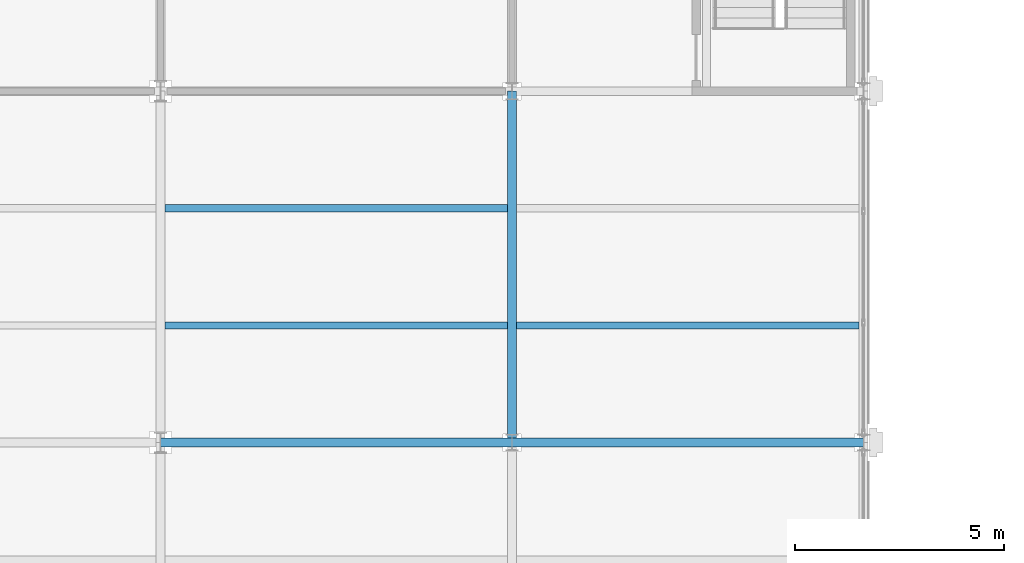
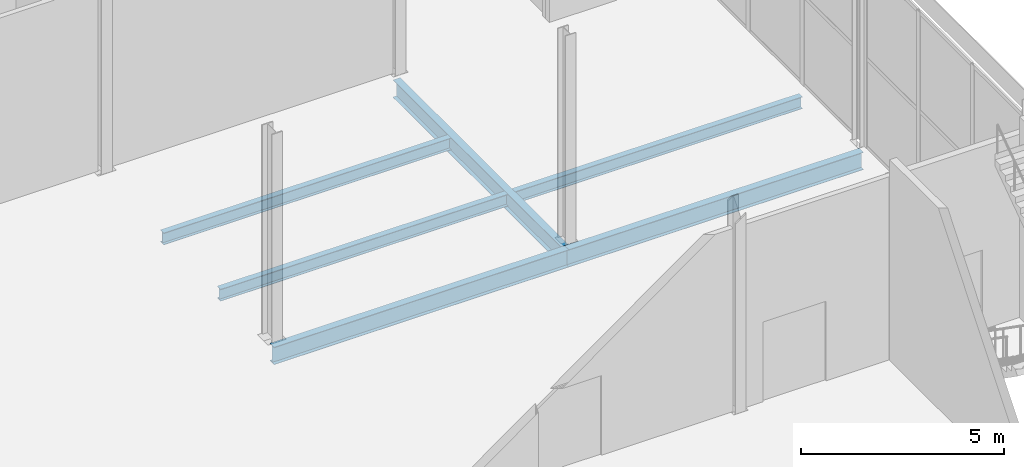
# One storey, part 35 of 77: 6 beams.
"""IFC4 building model written with IfcOpenShell, lengths in metres."""

from ifc_helpers import new_model, si_unit, direction, frame, origin, origin_2d, place, context, subcontext, project, spatial, i_section, extrude, material, material_profile, profile_set, type_object, element, save


model = new_model("IFC4")

# Units and contexts
model_context = context("Model", 3, precision=1e-05, world=origin(), true_north=direction((0.0, 1.0)))
body_context = subcontext(model_context, "Body", "Model", "MODEL_VIEW")
ifc_project = project(units=[si_unit("LENGTHUNIT", "METRE"), si_unit("AREAUNIT", "SQUARE_METRE"), si_unit("VOLUMEUNIT", "CUBIC_METRE"), si_unit("PLANEANGLEUNIT", "RADIAN"), si_unit("MASSUNIT", "GRAM", prefix="KILO")], contexts=[model_context])

# Site, building, storey
site_placement = place(None, origin())
site = spatial("IfcSite", under=ifc_project, at=site_placement, CompositionType="ELEMENT")
building_placement = place(site_placement, origin())
building = spatial("IfcBuilding", under=site, at=building_placement, Name="Catenary Quay Ferry Terminal", CompositionType="ELEMENT")
storey_placement = place(building_placement, frame((0.0, 0.0, 10.800048828125)))
storey = spatial("IfcBuildingStorey", under=building, at=storey_placement, Name="L02", CompositionType="ELEMENT", Elevation=10.800048828125)

# Beams
ifc_material_1 = material(Name="Steel S355", Category="steel")
ifc_material_profile_1 = material_profile(ifc_material_1, i_section(OverallWidth=0.208740234375, OverallDepth=0.5283203125, WebThickness=0.009521484375, FlangeThickness=0.01318359375, at=origin_2d()), Name="UB 533x210x82")
ifc_profile_set_1 = profile_set([ifc_material_profile_1], Name="Steel S355")
beam_type_1 = type_object("IfcBeamType", Name="B5 UB 533x210x82", PredefinedType="BEAM", material=ifc_profile_set_1)
beam_1_placement = place(storey_placement, frame((50.39990234375, 184.800048828125, -0.51416015625), z_axis=(1.0, 0.0, 0.0), x_axis=(0.0, 1.0, 0.0)))
element("IfcBeam", 1, at=beam_1_placement, inside=storey, type_object=beam_type_1, Name="Beam B5-013", PredefinedType="BEAM", context=body_context, shape_type="SweptSolid", body=[
    extrude(i_section(OverallWidth=0.208740234375, OverallDepth=0.5283203125, WebThickness=0.009521484375, FlangeThickness=0.01318359375, at=origin_2d()), origin(), (0.0, 0.0, 1.0), 8.400146484375),
])
for number, where, z_axis, x_axis, name in (
    (2, (58.800048828125, 184.800048828125, -0.51416015625), (1.0, 0.0, 0.0), (0.0, 1.0, 0.0), "Beam B5-014"),
    (3, (58.800048828125, 184.800048828125, -0.51416015625), (0.0, 1.0, 0.0), (-1.0, 0.0, 0.0), "Beam B5-041"),
):
    element("IfcBeam", number, at=place(storey_placement, frame(where, z_axis=z_axis, x_axis=x_axis)), inside=storey, type_object=beam_type_1, Name=name, PredefinedType="BEAM", context=body_context, shape_type="SweptSolid", body=[
        extrude(i_section(OverallWidth=0.208740234375, OverallDepth=0.5283203125, WebThickness=0.009521484375, FlangeThickness=0.01318359375, at=origin_2d()), origin(), (0.0, 0.0, 1.0), 8.39990234375),
    ])
ifc_material_2 = material(Name="Steel S355", Category="steel")
ifc_material_profile_2 = material_profile(ifc_material_2, i_section(OverallWidth=0.169921875, OverallDepth=0.360107421875, WebThickness=0.008056640625, FlangeThickness=0.0126953125, at=origin_2d()), Name="IPE 360")
ifc_profile_set_2 = profile_set([ifc_material_profile_2], Name="Steel S355")
beam_type_2 = type_object("IfcBeamType", Name="B7 IPE 360", PredefinedType="BEAM", material=ifc_profile_set_2)
beam_2_placement = place(storey_placement, frame((50.50390625, 187.60009765625, -0.429931640625), z_axis=(1.0, 0.0, 0.0), x_axis=(0.0, 1.0, 0.0)))
element("IfcBeam", 4, at=beam_2_placement, inside=storey, type_object=beam_type_2, Name="Beam B7-028", PredefinedType="BEAM", context=body_context, shape_type="SweptSolid", body=[
    extrude(i_section(OverallWidth=0.169921875, OverallDepth=0.360107421875, WebThickness=0.008056640625, FlangeThickness=0.0126953125, at=origin_2d()), origin(), (0.0, 0.0, 1.0), 8.192138671875),
])
beam_3_placement = place(storey_placement, frame((58.904052734375, 187.60009765625, -0.429931640625), z_axis=(1.0, 0.0, 0.0), x_axis=(0.0, 1.0, 0.0)))
element("IfcBeam", 5, at=beam_3_placement, inside=storey, type_object=beam_type_2, Name="Beam B7-029", PredefinedType="BEAM", context=body_context, shape_type="SweptSolid", body=[
    extrude(i_section(OverallWidth=0.169921875, OverallDepth=0.360107421875, WebThickness=0.008056640625, FlangeThickness=0.0126953125, at=origin_2d()), origin(), (0.0, 0.0, 1.0), 8.19189453125),
])
beam_4_placement = place(storey_placement, frame((50.50390625, 190.39990234375, -0.429931640625), z_axis=(1.0, 0.0, 0.0), x_axis=(0.0, 1.0, 0.0)))
element("IfcBeam", 6, at=beam_4_placement, inside=storey, type_object=beam_type_2, Name="Beam B7-033", PredefinedType="BEAM", context=body_context, shape_type="SweptSolid", body=[
    extrude(i_section(OverallWidth=0.169921875, OverallDepth=0.360107421875, WebThickness=0.008056640625, FlangeThickness=0.0126953125, at=origin_2d()), origin(), (0.0, 0.0, 1.0), 8.192138671875),
])

save(model, "model.ifc")
